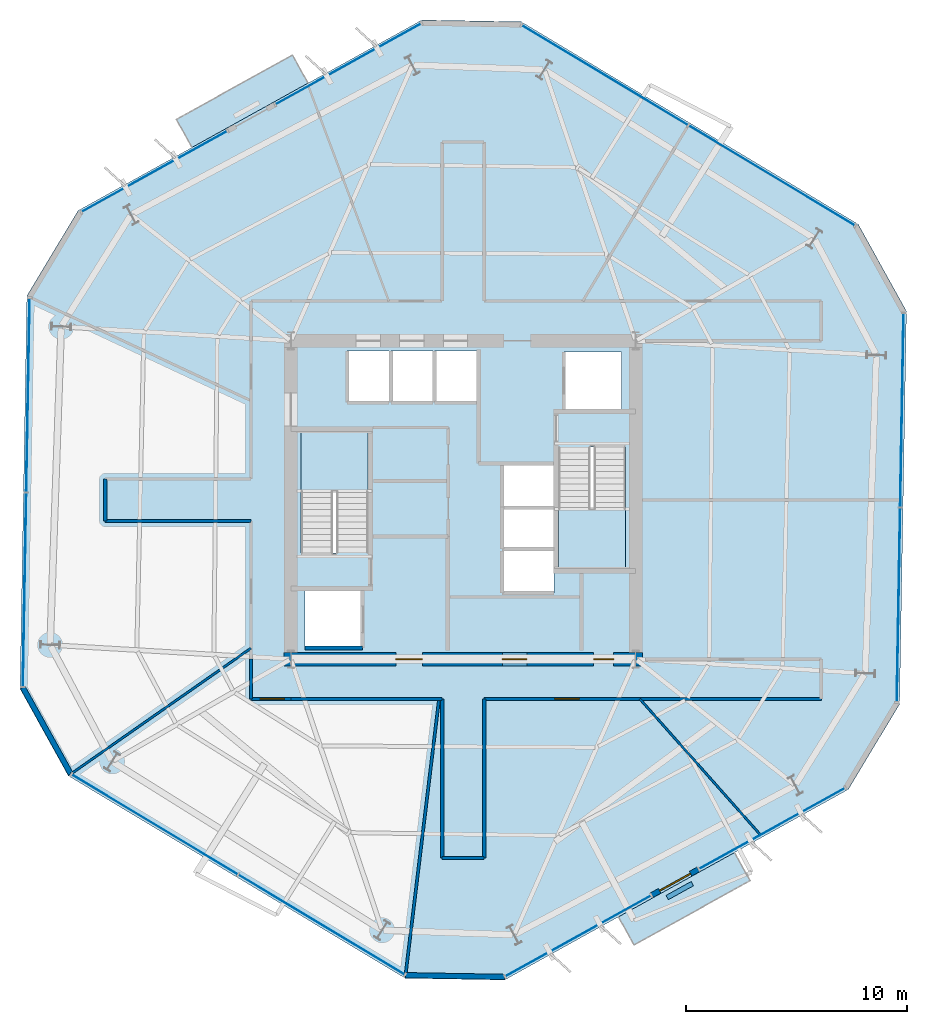
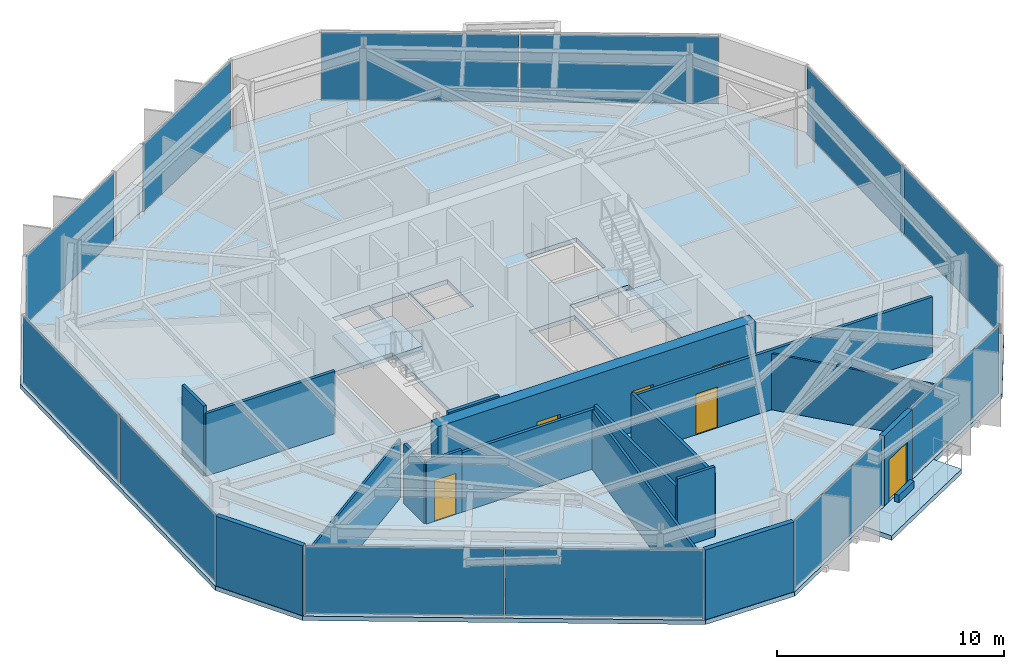
# One storey, part 6 of 11: 18 walls, 12 plates, 6 doors, 5 slabs, 6 openings, 10 elements without a shape of their own.
"""IFC4 building model written with IfcOpenShell, lengths in metres."""

from ifc_helpers import new_model, si_unit, direction, frame, frame_2d, origin, origin_2d, place, context, subcontext, project, spatial, polyline, rectangle, outline, extrude, material, layer, layer_set, type_object, element, fill, aggregate, save


model = new_model("IFC4")

# Units and contexts
model_context = context("Model", 3, precision=1e-05, world=origin(), true_north=direction((0.0, 1.0)))
body_context = subcontext(model_context, "Body", "Model", "MODEL_VIEW")
ifc_project = project(units=[si_unit("LENGTHUNIT", "METRE"), si_unit("AREAUNIT", "SQUARE_METRE"), si_unit("VOLUMEUNIT", "CUBIC_METRE"), si_unit("PLANEANGLEUNIT", "RADIAN"), si_unit("MASSUNIT", "GRAM", prefix="KILO")], contexts=[model_context])

# Site, building, storey
site_placement = place(None, origin())
site = spatial("IfcSite", under=ifc_project, at=site_placement, CompositionType="ELEMENT")
building_placement = place(site_placement, origin())
building = spatial("IfcBuilding", under=site, at=building_placement, Name="Kranzbogen Civic Tower", CompositionType="ELEMENT")
storey_placement = place(building_placement, frame((0.0, 0.0, 138.39990234375)))
storey = spatial("IfcBuildingStorey", under=building, at=storey_placement, Name="L33", CompositionType="ELEMENT", Elevation=138.39990234375)

# Slab
ifc_material_1 = material(Name="Concrete C40/50", Category="concrete")
ifc_layer_1 = layer(ifc_material_1, 0.239990234375, Name="Concrete C40/50")
ifc_layer_set_1 = layer_set([ifc_layer_1], Name="Concrete C40/50")
slab_type_1 = type_object("IfcSlabType", Name="Composite Lower Tower Floor Slab 240 mm", PredefinedType="FLOOR", material=ifc_layer_set_1)
slab_1_placement = place(storey_placement, frame((0.0, 0.0, -0.239990234375)))
element("IfcSlab", 1, at=slab_1_placement, inside=storey, type_object=slab_type_1, Name="L33 tower floor slab", PredefinedType="FLOOR", context=body_context, shape_type="SweptSolid", body=[
    extrude(outline(polyline([(42.8701171875, 37.47802734375), (27.6279296875, 46.636962890625), (23.12890625, 46.715087890625), (7.575927734375, 38.093994140625), (5.258056640625, 34.237060546875), (4.947998046875, 16.45703125), (7.1298828125, 12.52197265625), (22.3720703125, 3.363037109375), (26.87109375, 3.284912109375), (42.424072265625, 11.906005859375), (44.741943359375, 15.762939453125), (45.052001953125, 33.54296875), (42.8701171875, 37.47802734375)]), holes=[polyline([(20.449951171875, 20.89990234375), (20.449951171875, 18.300048828125), (17.85009765625, 18.300048828125), (17.85009765625, 20.89990234375), (20.449951171875, 20.89990234375)]), polyline([(29.10009765625, 22.699951171875), (29.10009765625, 20.800048828125), (26.75, 20.800048828125), (26.75, 22.699951171875), (29.10009765625, 22.699951171875)]), polyline([(29.10009765625, 24.64990234375), (29.10009765625, 22.77490234375), (26.75, 22.77490234375), (26.75, 24.64990234375), (26.75, 24.675048828125), (26.75, 26.550048828125), (29.10009765625, 26.550048828125), (29.10009765625, 24.675048828125), (29.10009765625, 24.64990234375)]), polyline([(30.75, 27.340087890625), (30.75, 27.39990234375), (32.35009765625, 27.39990234375), (32.35009765625, 21.89990234375), (29.300048828125, 21.89990234375), (29.300048828125, 27.340087890625), (30.75, 27.340087890625)]), polyline([(19.25, 22.659912109375), (19.25, 22.60009765625), (17.64990234375, 22.60009765625), (17.64990234375, 28.10009765625), (20.699951171875, 28.10009765625), (20.699951171875, 22.659912109375), (19.25, 22.659912109375)]), polyline([(32.14990234375, 31.699951171875), (32.14990234375, 29.10009765625), (29.550048828125, 29.10009765625), (29.550048828125, 31.699951171875), (32.14990234375, 31.699951171875)]), polyline([(21.64990234375, 31.75), (21.64990234375, 29.39990234375), (19.75, 29.39990234375), (19.75, 31.75), (21.64990234375, 31.75)]), polyline([(23.625, 29.39990234375), (21.72509765625, 29.39990234375), (21.72509765625, 31.75), (23.625, 31.75), (23.625, 29.39990234375)]), polyline([(25.60009765625, 29.39990234375), (23.699951171875, 29.39990234375), (23.699951171875, 31.75), (25.60009765625, 31.75), (25.60009765625, 29.39990234375)])]), origin(), (0.0, 0.0, 1.0), 0.239990234375),
])

# Curtain wall, plates
ifc_material_2 = material(Name="Pale Anodised Aluminium", Category="aluminium")
ifc_layer_2 = layer(ifc_material_2, 0.219970703125, Name="Pale Anodised Aluminium")
ifc_layer_set_2 = layer_set([ifc_layer_2], Name="Pale Anodised Aluminium")
curtain_wall_type = type_object("IfcCurtainWallType", Name="Zone 2 Stick Curtain Wall System CW-03", PredefinedType="USERDEFINED", material=ifc_layer_set_2)
curtain_wall_1_placement = place(storey_placement, origin())
curtain_wall_1 = element("IfcCurtainWall", 2, at=curtain_wall_1_placement, inside=storey, type_object=curtain_wall_type, Name="L33 curtain wall CW-L33-F1", ObjectType="STICK CURTAIN WALL", PredefinedType="USERDEFINED")
ifc_material_3 = material(Name="Low-E Triple Glazing Glass", Category="glass")
ifc_layer_3 = layer(ifc_material_3, 0.031982421875, Name="Low-E Triple Glazing Glass")
ifc_layer_set_3 = layer_set([ifc_layer_3], Name="Low-E Triple Glazing Glass")
plate_type = type_object("IfcPlateType", Name="Insulated Low-E Glazing Panel 32 mm", PredefinedType="CURTAIN_PANEL", material=ifc_layer_set_3)
plate_1_placement = place(storey_placement, frame((38.9560546875, 39.6806640625, 0.06005859375), z_axis=(0.0, 0.0, 1.0), x_axis=(-0.857153137828, 0.515061645156, 0.0)))
plate_1 = element("IfcPlate", 3, at=plate_1_placement, type_object=plate_type, Name="CW-03 panel 1.1", PredefinedType="CURTAIN_PANEL", context=body_context, shape_type="SweptSolid", body=[
    extrude(rectangle(XDim=8.743896484375, YDim=0.028076171875, at=origin_2d()), origin(), (0.0, 0.0, 1.0), 3.639892578125),
])
plate_2_placement = place(storey_placement, frame((31.409912109375, 44.21533203125, 0.06005859375), z_axis=(0.0, 0.0, 1.0), x_axis=(-0.857153137828, 0.515061645156, 0.0)))
plate_2 = element("IfcPlate", 4, at=plate_2_placement, type_object=plate_type, Name="CW-03 panel 2.1", PredefinedType="CURTAIN_PANEL", context=body_context, shape_type="SweptSolid", body=[
    extrude(rectangle(XDim=8.743896484375, YDim=0.028076171875, at=origin_2d()), origin(), (0.0, 0.0, 1.0), 3.639892578125),
])
aggregate(curtain_wall_1, [plate_1, plate_2])

# Curtain wall, plate
curtain_wall_2_placement = place(storey_placement, origin())
curtain_wall_2 = element("IfcCurtainWall", 5, at=curtain_wall_2_placement, inside=storey, type_object=curtain_wall_type, Name="L33 curtain wall CW-L33-F2-S1", ObjectType="STICK CURTAIN WALL", PredefinedType="USERDEFINED")
plate_3_placement = place(storey_placement, frame((19.802490234375, 44.7255859375, 0.06005859375), z_axis=(0.0, 0.0, 1.0), x_axis=(-0.874626457599, -0.484797441894, 0.0)))
plate_3 = element("IfcPlate", 6, at=plate_3_placement, type_object=plate_type, Name="CW-03 panel 1.1", PredefinedType="CURTAIN_PANEL", context=body_context, shape_type="SweptSolid", body=[
    extrude(rectangle(XDim=7.51416015625, YDim=0.028076171875, at=origin_2d()), origin(), (0.0, 0.0, 1.0), 3.639892578125),
])
aggregate(curtain_wall_2, [plate_3])

curtain_wall_3_placement = place(storey_placement, origin())
curtain_wall_3 = element("IfcCurtainWall", 7, at=curtain_wall_3_placement, inside=storey, type_object=curtain_wall_type, Name="L33 curtain wall CW-L33-F2-S2", ObjectType="STICK CURTAIN WALL", PredefinedType="USERDEFINED")
plate_4_placement = place(storey_placement, frame((11.026611328125, 39.860595703125, 0.06005859375), z_axis=(0.0, 0.0, 1.0), x_axis=(-0.874626457599, -0.484797441894, 0.0)))
plate_4 = element("IfcPlate", 8, at=plate_4_placement, type_object=plate_type, Name="CW-03 panel 1.1", PredefinedType="CURTAIN_PANEL", context=body_context, shape_type="SweptSolid", body=[
    extrude(rectangle(XDim=7.51416015625, YDim=0.028076171875, at=origin_2d()), origin(), (0.0, 0.0, 1.0), 3.639892578125),
])
aggregate(curtain_wall_3, [plate_4])

# Curtain wall, plates
curtain_wall_4_placement = place(storey_placement, origin())
curtain_wall_4 = element("IfcCurtainWall", 9, at=curtain_wall_4_placement, inside=storey, type_object=curtain_wall_type, Name="L33 curtain wall CW-L33-F3", ObjectType="STICK CURTAIN WALL", PredefinedType="USERDEFINED")
plate_5_placement = place(storey_placement, frame((5.3076171875, 29.74658203125, 0.06005859375), z_axis=(0.0, 0.0, 1.0), x_axis=(-0.017431971008, -0.999848051649, 0.0)))
plate_5 = element("IfcPlate", 10, at=plate_5_placement, type_object=plate_type, Name="CW-03 panel 1.1", PredefinedType="CURTAIN_PANEL", context=body_context, shape_type="SweptSolid", body=[
    extrude(rectangle(XDim=8.744384765625, YDim=0.028076171875, at=origin_2d()), origin(), (0.0, 0.0, 1.0), 3.639892578125),
])
plate_6_placement = place(storey_placement, frame((5.154296875, 20.943603515625, 0.06005859375), z_axis=(0.0, 0.0, 1.0), x_axis=(-0.017431971008, -0.999848051649, 0.0)))
plate_6 = element("IfcPlate", 11, at=plate_6_placement, type_object=plate_type, Name="CW-03 panel 2.1", PredefinedType="CURTAIN_PANEL", context=body_context, shape_type="SweptSolid", body=[
    extrude(rectangle(XDim=8.744384765625, YDim=0.028076171875, at=origin_2d()), origin(), (0.0, 0.0, 1.0), 3.639892578125),
])
aggregate(curtain_wall_4, [plate_5, plate_6])

curtain_wall_5_placement = place(storey_placement, origin())
curtain_wall_5 = element("IfcCurtainWall", 12, at=curtain_wall_5_placement, inside=storey, type_object=curtain_wall_type, Name="L33 curtain wall CW-L33-F4", ObjectType="STICK CURTAIN WALL", PredefinedType="USERDEFINED")
plate_7_placement = place(storey_placement, frame((11.0439453125, 10.3193359375, 0.06005859375), z_axis=(0.0, 0.0, 1.0), x_axis=(0.857153137828, -0.515061645156, 0.0)))
plate_7 = element("IfcPlate", 13, at=plate_7_placement, type_object=plate_type, Name="CW-03 panel 1.1", PredefinedType="CURTAIN_PANEL", context=body_context, shape_type="SweptSolid", body=[
    extrude(rectangle(XDim=8.743896484375, YDim=0.028076171875, at=origin_2d()), origin(), (0.0, 0.0, 1.0), 3.639892578125),
])
plate_8_placement = place(storey_placement, frame((18.590087890625, 5.78466796875, 0.06005859375), z_axis=(0.0, 0.0, 1.0), x_axis=(0.857153137828, -0.515061645156, 0.0)))
plate_8 = element("IfcPlate", 14, at=plate_8_placement, type_object=plate_type, Name="CW-03 panel 2.1", PredefinedType="CURTAIN_PANEL", context=body_context, shape_type="SweptSolid", body=[
    extrude(rectangle(XDim=8.743896484375, YDim=0.028076171875, at=origin_2d()), origin(), (0.0, 0.0, 1.0), 3.639892578125),
])
aggregate(curtain_wall_5, [plate_7, plate_8])

# Curtain wall, plate
curtain_wall_6_placement = place(storey_placement, origin())
curtain_wall_6 = element("IfcCurtainWall", 15, at=curtain_wall_6_placement, inside=storey, type_object=curtain_wall_type, Name="L33 curtain wall CW-L33-F5-S1", ObjectType="STICK CURTAIN WALL", PredefinedType="USERDEFINED")
plate_9_placement = place(storey_placement, frame((30.197509765625, 5.2744140625, 0.06005859375), z_axis=(0.0, 0.0, 1.0), x_axis=(0.874626457599, 0.484797441894, 0.0)))
plate_9 = element("IfcPlate", 16, at=plate_9_placement, type_object=plate_type, Name="CW-03 panel 1.1", PredefinedType="CURTAIN_PANEL", context=body_context, shape_type="SweptSolid", body=[
    extrude(rectangle(XDim=7.51416015625, YDim=0.028076171875, at=origin_2d()), origin(), (0.0, 0.0, 1.0), 3.639892578125),
])
aggregate(curtain_wall_6, [plate_9])

curtain_wall_7_placement = place(storey_placement, origin())
curtain_wall_7 = element("IfcCurtainWall", 17, at=curtain_wall_7_placement, inside=storey, type_object=curtain_wall_type, Name="L33 curtain wall CW-L33-F5-S2", ObjectType="STICK CURTAIN WALL", PredefinedType="USERDEFINED")
plate_10_placement = place(storey_placement, frame((38.973388671875, 10.139404296875, 0.06005859375), z_axis=(0.0, 0.0, 1.0), x_axis=(0.874626457599, 0.484797441894, 0.0)))
plate_10 = element("IfcPlate", 18, at=plate_10_placement, type_object=plate_type, Name="CW-03 panel 1.1", PredefinedType="CURTAIN_PANEL", context=body_context, shape_type="SweptSolid", body=[
    extrude(rectangle(XDim=7.51416015625, YDim=0.028076171875, at=origin_2d()), origin(), (0.0, 0.0, 1.0), 3.639892578125),
])
aggregate(curtain_wall_7, [plate_10])

# Curtain wall, plates
curtain_wall_8_placement = place(storey_placement, origin())
curtain_wall_8 = element("IfcCurtainWall", 19, at=curtain_wall_8_placement, inside=storey, type_object=curtain_wall_type, Name="L33 curtain wall CW-L33-F6", ObjectType="STICK CURTAIN WALL", PredefinedType="USERDEFINED")
plate_11_placement = place(storey_placement, frame((44.6923828125, 20.25341796875, 0.06005859375), z_axis=(0.0, 0.0, 1.0), x_axis=(0.017431971008, 0.999848051649, 0.0)))
plate_11 = element("IfcPlate", 20, at=plate_11_placement, type_object=plate_type, Name="CW-03 panel 1.1", PredefinedType="CURTAIN_PANEL", context=body_context, shape_type="SweptSolid", body=[
    extrude(rectangle(XDim=8.744384765625, YDim=0.028076171875, at=origin_2d()), origin(), (0.0, 0.0, 1.0), 3.639892578125),
])
plate_12_placement = place(storey_placement, frame((44.845703125, 29.056396484375, 0.06005859375), z_axis=(0.0, 0.0, 1.0), x_axis=(0.017431971008, 0.999848051649, 0.0)))
plate_12 = element("IfcPlate", 21, at=plate_12_placement, type_object=plate_type, Name="CW-03 panel 2.1", PredefinedType="CURTAIN_PANEL", context=body_context, shape_type="SweptSolid", body=[
    extrude(rectangle(XDim=8.744384765625, YDim=0.028076171875, at=origin_2d()), origin(), (0.0, 0.0, 1.0), 3.639892578125),
])
aggregate(curtain_wall_8, [plate_11, plate_12])

# Stair, slab
ifc_material_4 = material(Name="Precast concrete C40/50", Category="concrete")
stair_type_1 = type_object("IfcStairType", Name="Tower Core Pressurized Dogleg Stair 1450", PredefinedType="HALF_TURN_STAIR", material=ifc_material_4)
stair_1_placement = place(storey_placement, origin())
stair_1 = element("IfcStair", 22, at=stair_1_placement, inside=storey, type_object=stair_type_1, Name="L33 Tower Core Pressurized Stair 1", PredefinedType="HALF_TURN_STAIR")
ifc_layer_4 = layer(ifc_material_4, 0.199951171875, Name="Precast concrete C40/50")
ifc_layer_set_4 = layer_set([ifc_layer_4], Name="Precast concrete C40/50")
slab_type_2 = type_object("IfcSlabType", Name="Precast Concrete Stair Landing Slab 200 mm", PredefinedType="LANDING", material=ifc_layer_set_4)
slab_2_placement = place(storey_placement, frame((0.0, 0.0, 1.800048828125)))
slab_2 = element("IfcSlab", 23, at=slab_2_placement, type_object=slab_type_2, Name="ST-T1 landing 1", PredefinedType="LANDING", context=body_context, shape_type="SweptSolid", body=[
    extrude(outline(polyline([(20.699951171875, 25.39990234375), (20.699951171875, 28.10009765625), (17.64990234375, 28.10009765625), (17.64990234375, 25.39990234375), (20.699951171875, 25.39990234375)])), origin(), (0.0, 0.0, 1.0), 0.199951171875),
])
aggregate(stair_1, [slab_2])

stair_type_2 = type_object("IfcStairType", Name="Tower Core Secondary Dogleg Stair 1450", PredefinedType="HALF_TURN_STAIR", material=ifc_material_4)
stair_2_placement = place(storey_placement, origin())
stair_2 = element("IfcStair", 24, at=stair_2_placement, inside=storey, type_object=stair_type_2, Name="L33 Tower Core Pressurized Stair 2", PredefinedType="HALF_TURN_STAIR")
slab_3_placement = place(storey_placement, frame((0.0, 0.0, 1.800048828125)))
slab_3 = element("IfcSlab", 25, at=slab_3_placement, type_object=slab_type_2, Name="ST-T2 landing 1", PredefinedType="LANDING", context=body_context, shape_type="SweptSolid", body=[
    extrude(outline(polyline([(29.300048828125, 24.60009765625), (29.300048828125, 21.89990234375), (32.35009765625, 21.89990234375), (32.35009765625, 24.60009765625), (29.300048828125, 24.60009765625)])), origin(), (0.0, 0.0, 1.0), 0.199951171875),
])
aggregate(stair_2, [slab_3])

# Slabs
ifc_layer_5 = layer(ifc_material_1, 0.25, Name="Concrete C40/50")
ifc_layer_set_5 = layer_set([ifc_layer_5], Name="Concrete C40/50")
slab_type_3 = type_object("IfcSlabType", Name="Tree Balcony Cantilevered Slab 250 mm", PredefinedType="FLOOR", material=ifc_layer_set_5)
slab_4_placement = place(storey_placement, frame((0.0, 0.0, -0.25)))
element("IfcSlab", 26, at=slab_4_placement, inside=storey, type_object=slab_type_3, Name="L33 cantilevered tree balcony L33-TB1", PredefinedType="FLOOR", context=body_context, shape_type="SweptSolid", body=[
    extrude(outline(polyline([(17.97607421875, 43.85888671875), (12.72802734375, 40.950927734375), (12.02490234375, 42.218994140625), (17.27294921875, 45.126953125), (17.97607421875, 43.85888671875)])), origin(), (0.0, 0.0, 1.0), 0.25),
])
slab_5_placement = place(storey_placement, frame((0.0, 0.0, -0.25)))
element("IfcSlab", 27, at=slab_5_placement, inside=storey, type_object=slab_type_3, Name="L33 cantilevered tree balcony L33-TB2", PredefinedType="FLOOR", context=body_context, shape_type="SweptSolid", body=[
    extrude(outline(polyline([(32.02392578125, 6.14111328125), (37.27197265625, 9.049072265625), (37.97509765625, 7.781005859375), (32.72705078125, 4.873046875), (32.02392578125, 6.14111328125)])), origin(), (0.0, 0.0, 1.0), 0.25),
])

# Wall, opening, door
ifc_material_5 = material(Name="Double-Stud Acoustic Gypsum Partition")
ifc_layer_6 = layer(ifc_material_5, 0.14990234375, Name="Double-Stud Acoustic Gypsum Partition")
ifc_layer_set_6 = layer_set([ifc_layer_6], Name="Double-Stud Acoustic Gypsum Partition")
wall_type_1 = type_object("IfcWallType", Name="Acoustic Corridor and Clinical Partition 150 mm", PredefinedType="PARTITIONING", material=ifc_layer_set_6)
wall_1_placement = place(storey_placement, frame((17.199951171875, 16.0, 0.0), z_axis=(0.0, 0.0, 1.0), x_axis=(-1.0, 0.0, 0.0)))
wall_1 = element("IfcWall", 28, at=wall_1_placement, inside=storey, type_object=wall_type_1, Name="L33 corridor partition 01", PredefinedType="PARTITIONING", context=body_context, shape_type="SweptSolid", body=[
    extrude(rectangle(XDim=1.800048828125, YDim=0.14990234375, at=frame_2d((0.89990234375, 0.0))), origin(), (0.0, 0.0, 1.0), 3.360107421875),
])
opening_1_placement = place(wall_1_placement, frame((0.287109375, 0.0, 0.0)))
opening_1 = element("IfcOpeningElement", 29, at=opening_1_placement, cuts=wall_1, Name="Opening D-COR60", PredefinedType="OPENING", context=body_context, shape_type="SweptSolid", body=[
    extrude(rectangle(XDim=1.10009765625, YDim=2.199951171875, at=frame_2d((0.550048828125, 1.10009765625))), frame((0.0, 0.0849609375, 0.0), z_axis=(0.0, -1.0, 0.0), x_axis=(1.0, 0.0, 0.0)), (0.0, 0.0, 1.0), 0.169921875),
])
ifc_material_6 = material(Name="Oak Timber and Fire Core", Category="wood")
door_type_1 = type_object("IfcDoorType", Name="Corridor Acoustic Fire Door 1100x2200", OperationType="NOTDEFINED", PredefinedType="DOOR", material=ifc_material_6)
door_1_placement = place(opening_1_placement, origin())
door_1 = element("IfcDoor", 30, at=door_1_placement, inside=storey, type_object=door_type_1, Name="L33 Parliamentary Review Boardroom door", OperationType="SINGLE_SWING_LEFT", OverallHeight=2.199951171875, OverallWidth=1.10009765625, PredefinedType="DOOR", context=body_context, shape_type="SweptSolid", body=[
    extrude(rectangle(XDim=1.10009765625, YDim=2.199951171875, at=frame_2d((0.550048828125, 1.10009765625))), frame((0.0, 0.02490234375, 0.0), z_axis=(0.0, -1.0, 0.0), x_axis=(1.0, 0.0, 0.0)), (0.0, 0.0, 1.0), 0.050048828125),
])
fill(opening_1, door_1)

# Walls
wall_2_placement = place(storey_placement, frame((15.39990234375, 16.0, 0.0), z_axis=(0.0, 0.0, 1.0), x_axis=(0.0, 1.0, 0.0)))
element("IfcWall", 31, at=wall_2_placement, inside=storey, type_object=wall_type_1, Name="L33 corridor partition 02", PredefinedType="PARTITIONING", context=body_context, shape_type="SweptSolid", body=[
    extrude(rectangle(XDim=1.800048828125, YDim=0.14990234375, at=frame_2d((0.89990234375, 0.0))), origin(), (0.0, 0.0, 1.0), 3.210205078125),
])
wall_3_placement = place(storey_placement, frame((15.39990234375, 24.050048828125, 0.0), z_axis=(0.0, 0.0, 1.0), x_axis=(-1.0, 0.0, 0.0)))
element("IfcWall", 32, at=wall_3_placement, inside=storey, type_object=wall_type_1, Name="L33 corridor partition 04", PredefinedType="PARTITIONING", context=body_context, shape_type="SweptSolid", body=[
    extrude(rectangle(XDim=6.599853515625, YDim=0.14990234375, at=frame_2d((3.2998046875, 0.0))), origin(), (0.0, 0.0, 1.0), 3.360107421875),
])
wall_4_placement = place(storey_placement, frame((8.800048828125, 24.050048828125, 0.0), z_axis=(0.0, 0.0, 1.0), x_axis=(0.0, 1.0, 0.0)))
element("IfcWall", 33, at=wall_4_placement, inside=storey, type_object=wall_type_1, Name="L33 corridor partition 05", PredefinedType="PARTITIONING", context=body_context, shape_type="SweptSolid", body=[
    extrude(rectangle(XDim=1.89990234375, YDim=0.14990234375, at=frame_2d((0.949951171875, 0.0))), origin(), (0.0, 0.0, 1.0), 3.760009765625),
])

# Wall, opening, door
wall_5_placement = place(storey_placement, frame((41.199951171875, 16.0, 0.0), z_axis=(0.0, 0.0, 1.0), x_axis=(-1.0, 0.0, 0.0)))
wall_5 = element("IfcWall", 34, at=wall_5_placement, inside=storey, type_object=wall_type_1, Name="L33 corridor partition 19", PredefinedType="PARTITIONING", context=body_context, shape_type="SweptSolid", body=[
    extrude(rectangle(XDim=15.25, YDim=0.14990234375, at=frame_2d((7.625, 0.0))), origin(), (0.0, 0.0, 1.0), 3.210205078125),
])
opening_2_placement = place(wall_5_placement, frame((10.95703125, 0.0, 0.0)))
opening_2 = element("IfcOpeningElement", 35, at=opening_2_placement, cuts=wall_5, Name="Opening D-COR60", PredefinedType="OPENING", context=body_context, shape_type="SweptSolid", body=[
    extrude(rectangle(XDim=1.10009765625, YDim=2.199951171875, at=frame_2d((0.550048828125, 1.10009765625))), frame((0.0, 0.0849609375, 0.0), z_axis=(0.0, -1.0, 0.0), x_axis=(1.0, 0.0, 0.0)), (0.0, 0.0, 1.0), 0.169921875),
])
door_2_placement = place(opening_2_placement, origin())
door_2 = element("IfcDoor", 36, at=door_2_placement, inside=storey, type_object=door_type_1, Name="L33 Policy Seminar Room door", OperationType="SINGLE_SWING_RIGHT", OverallHeight=2.199951171875, OverallWidth=1.10009765625, PredefinedType="DOOR", context=body_context, shape_type="SweptSolid", body=[
    extrude(rectangle(XDim=1.10009765625, YDim=2.199951171875, at=frame_2d((0.550048828125, 1.10009765625))), frame((0.0, 0.02490234375, 0.0), z_axis=(0.0, -1.0, 0.0), x_axis=(1.0, 0.0, 0.0)), (0.0, 0.0, 1.0), 0.050048828125),
])
fill(opening_2, door_2)

# Walls
wall_6_placement = place(storey_placement, frame((25.949951171875, 16.0, 0.0), z_axis=(0.0, 0.0, 1.0), x_axis=(0.0, -1.0, 0.0)))
element("IfcWall", 37, at=wall_6_placement, inside=storey, type_object=wall_type_1, Name="L33 corridor partition 20", PredefinedType="PARTITIONING", context=body_context, shape_type="SweptSolid", body=[
    extrude(rectangle(XDim=7.199951171875, YDim=0.14990234375, at=frame_2d((3.60009765625, 0.0))), origin(), (0.0, 0.0, 1.0), 3.360107421875),
])
wall_7_placement = place(storey_placement, frame((25.949951171875, 8.800048828125, 0.0), z_axis=(0.0, 0.0, 1.0), x_axis=(-1.0, 0.0, 0.0)))
element("IfcWall", 38, at=wall_7_placement, inside=storey, type_object=wall_type_1, Name="L33 corridor partition 21", PredefinedType="PARTITIONING", context=body_context, shape_type="SweptSolid", body=[
    extrude(rectangle(XDim=1.89990234375, YDim=0.14990234375, at=frame_2d((0.949951171875, 0.0))), origin(), (0.0, 0.0, 1.0), 3.760009765625),
])
wall_8_placement = place(storey_placement, frame((24.050048828125, 8.800048828125, 0.0), z_axis=(0.0, 0.0, 1.0), x_axis=(0.0, 1.0, 0.0)))
element("IfcWall", 39, at=wall_8_placement, inside=storey, type_object=wall_type_1, Name="L33 corridor partition 22", PredefinedType="PARTITIONING", context=body_context, shape_type="SweptSolid", body=[
    extrude(rectangle(XDim=7.199951171875, YDim=0.14990234375, at=frame_2d((3.60009765625, 0.0))), origin(), (0.0, 0.0, 1.0), 3.360107421875),
])
wall_9_placement = place(storey_placement, frame((24.050048828125, 16.0, 0.0), z_axis=(0.0, 0.0, 1.0), x_axis=(-1.0, 0.0, 0.0)))
element("IfcWall", 40, at=wall_9_placement, inside=storey, type_object=wall_type_1, Name="L33 corridor partition 23", PredefinedType="PARTITIONING", context=body_context, shape_type="SweptSolid", body=[
    extrude(rectangle(XDim=6.85009765625, YDim=0.14990234375, at=frame_2d((3.425048828125, 0.0))), origin(), (0.0, 0.0, 1.0), 3.210205078125),
])
ifc_material_7 = material(Name="Insulated Metal-Stud Gypsum Partition")
ifc_layer_7 = layer(ifc_material_7, 0.125, Name="Insulated Metal-Stud Gypsum Partition")
ifc_layer_set_7 = layer_set([ifc_layer_7], Name="Insulated Metal-Stud Gypsum Partition")
wall_type_2 = type_object("IfcWallType", Name="Acoustic Inter-Room Partition 125 mm", PredefinedType="PARTITIONING", material=ifc_layer_set_7)
wall_10_placement = place(storey_placement, frame((23.906982421875, 16.0, 0.0), z_axis=(0.0, 0.0, 1.0), x_axis=(-0.120587145305, -0.99270274523, 0.0)))
element("IfcWall", 41, at=wall_10_placement, inside=storey, type_object=wall_type_2, Name="L33 radial room partition 05", PredefinedType="PARTITIONING", context=body_context, shape_type="SweptSolid", body=[
    extrude(rectangle(XDim=12.57080078125, YDim=0.125, at=frame_2d((6.285400390625, 0.0))), origin(), (0.0, 0.0, 1.0), 3.16015625),
])
ifc_material_8 = material(Name="Architectural Precast Terracotta Concrete C40/50", Category="masonry")
ifc_layer_8 = layer(ifc_material_8, 0.219970703125, Name="Architectural Precast Terracotta Concrete C40/50")
ifc_layer_set_8 = layer_set([ifc_layer_8], Name="Architectural Precast Terracotta Concrete C40/50")
wall_type_3 = type_object("IfcWallType", Name="Architectural Tree Planter Kerb Wall 220 mm", PredefinedType="USERDEFINED", material=ifc_layer_set_8)
wall_11_placement = place(storey_placement, frame((34.22705078125, 7.013916015625, 0.0), z_axis=(0.0, 0.0, 1.0), x_axis=(0.874829292821, 0.484431324774, 0.0)))
element("IfcWall", 42, at=wall_11_placement, inside=storey, type_object=wall_type_3, Name="L33 landscaped tree balcony planter L33-TB2", ObjectType="PLANTER_WALL", PredefinedType="USERDEFINED", context=body_context, shape_type="SweptSolid", body=[
    extrude(rectangle(XDim=1.30078125, YDim=0.219970703125, at=frame_2d((0.650390625, 0.0))), origin(), (0.0, 0.0, 1.0), 0.400146484375),
])

# Wall, openings, doors
ifc_material_9 = material(Name="Concrete C55/67", Category="concrete")
ifc_layer_9 = layer(ifc_material_9, 0.60009765625, Name="Concrete C55/67")
ifc_layer_set_9 = layer_set([ifc_layer_9], Name="Concrete C55/67")
wall_type_4 = type_object("IfcWallType", Name="Central Core Shear Wall 600 mm", PredefinedType="SHEAR", material=ifc_layer_set_9)
wall_12_placement = place(storey_placement, frame((16.89990234375, 17.800048828125, 0.0), z_axis=(0.0, 0.0, 1.0), x_axis=(1.0, 0.0, 0.0)))
wall_12 = element("IfcWall", 43, at=wall_12_placement, inside=storey, type_object=wall_type_4, Name="L33 central core South shear wall", PredefinedType="SHEAR", context=body_context, shape_type="SweptSolid", body=[
    extrude(rectangle(XDim=16.2001953125, YDim=0.60009765625, at=frame_2d((8.10009765625, 0.0))), origin(), (0.0, 0.0, 1.0), 3.760009765625),
])
opening_3_placement = place(wall_12_placement, frame((5.050048828125, 0.0, 0.0)))
opening_3 = element("IfcOpeningElement", 44, at=opening_3_placement, cuts=wall_12, Name="Opening D-EX120", PredefinedType="OPENING", context=body_context, shape_type="SweptSolid", body=[
    extrude(rectangle(XDim=1.199951171875, YDim=2.25, at=frame_2d((0.60009765625, 1.125))), frame((0.0, 0.31005859375, 0.0), z_axis=(0.0, -1.0, 0.0), x_axis=(1.0, 0.0, 0.0)), (0.0, 0.0, 1.0), 0.6201171875),
])
opening_4_placement = place(wall_12_placement, frame((14.0, 0.0, 0.0)))
opening_4 = element("IfcOpeningElement", 45, at=opening_4_placement, cuts=wall_12, Name="Opening D-WC90", PredefinedType="OPENING", context=body_context, shape_type="SweptSolid", body=[
    extrude(rectangle(XDim=0.89990234375, YDim=2.10009765625, at=frame_2d((0.449951171875, 1.050048828125))), frame((0.0, 0.31005859375, 0.0), z_axis=(0.0, -1.0, 0.0), x_axis=(1.0, 0.0, 0.0)), (0.0, 0.0, 1.0), 0.6201171875),
])
opening_5_placement = place(wall_12_placement, frame((9.875, 0.0, 0.0)))
opening_5 = element("IfcOpeningElement", 46, at=opening_5_placement, cuts=wall_12, Name="Opening D-COR60", PredefinedType="OPENING", context=body_context, shape_type="SweptSolid", body=[
    extrude(rectangle(XDim=1.10009765625, YDim=2.199951171875, at=frame_2d((0.550048828125, 1.10009765625))), frame((0.0, 0.31005859375, 0.0), z_axis=(0.0, -1.0, 0.0), x_axis=(1.0, 0.0, 0.0)), (0.0, 0.0, 1.0), 0.6201171875),
])
door_3_placement = place(opening_5_placement, origin())
door_3 = element("IfcDoor", 47, at=door_3_placement, inside=storey, type_object=door_type_1, Name="L33 REC1 archive room door", OperationType="SINGLE_SWING_LEFT", OverallHeight=2.199951171875, OverallWidth=1.10009765625, PredefinedType="DOOR", context=body_context, shape_type="SweptSolid", body=[
    extrude(rectangle(XDim=1.10009765625, YDim=2.199951171875, at=frame_2d((0.550048828125, 1.10009765625))), frame((0.0, 0.02490234375, 0.0), z_axis=(0.0, -1.0, 0.0), x_axis=(1.0, 0.0, 0.0)), (0.0, 0.0, 1.0), 0.050048828125),
])
fill(opening_5, door_3)
ifc_material_10 = material(Name="Steel S355", Category="steel")
door_type_2 = type_object("IfcDoorType", Name="Exit Passageway Fire Door 1200x2250", OperationType="NOTDEFINED", PredefinedType="DOOR", material=ifc_material_10)
door_4_placement = place(opening_3_placement, origin())
door_4 = element("IfcDoor", 48, at=door_4_placement, inside=storey, type_object=door_type_2, Name="L33 West firefighting lobby corridor door", OperationType="SINGLE_SWING_RIGHT", OverallHeight=2.25, OverallWidth=1.199951171875, PredefinedType="DOOR", context=body_context, shape_type="SweptSolid", body=[
    extrude(rectangle(XDim=1.199951171875, YDim=2.25, at=frame_2d((0.60009765625, 1.125))), frame((0.0, 0.02490234375, 0.0), z_axis=(0.0, -1.0, 0.0), x_axis=(1.0, 0.0, 0.0)), (0.0, 0.0, 1.0), 0.050048828125),
])
fill(opening_3, door_4)
ifc_material_11 = material(Name="Moisture-Resistant Laminate")
door_type_3 = type_object("IfcDoorType", Name="Standard Restroom and Store Door 900x2100", OperationType="NOTDEFINED", PredefinedType="DOOR", material=ifc_material_11)
door_5_placement = place(opening_4_placement, origin())
door_5 = element("IfcDoor", 49, at=door_5_placement, inside=storey, type_object=door_type_3, Name="L33 East electrical riser access door", OperationType="SINGLE_SWING_RIGHT", OverallHeight=2.10009765625, OverallWidth=0.89990234375, PredefinedType="DOOR", context=body_context, shape_type="SweptSolid", body=[
    extrude(rectangle(XDim=0.89990234375, YDim=2.10009765625, at=frame_2d((0.449951171875, 1.050048828125))), frame((0.0, 0.02490234375, 0.0), z_axis=(0.0, -1.0, 0.0), x_axis=(1.0, 0.0, 0.0)), (0.0, 0.0, 1.0), 0.050048828125),
])
fill(opening_4, door_5)

# Walls
ifc_material_12 = material(Name="Demountable Aluminium and Gypsum Partition", Category="aluminium")
ifc_layer_10 = layer(ifc_material_12, 0.10009765625, Name="Demountable Aluminium and Gypsum Partition")
ifc_layer_set_10 = layer_set([ifc_layer_10], Name="Demountable Aluminium and Gypsum Partition")
wall_type_5 = type_object("IfcWallType", Name="Demountable Office Partition 100 mm", PredefinedType="MOVABLE", material=ifc_layer_set_10)
wall_13_placement = place(storey_placement, frame((15.39990234375, 18.297119140625, 0.0), z_axis=(0.0, 0.0, 1.0), x_axis=(-0.819886429215, -0.572526194325, 0.0)))
element("IfcWall", 50, at=wall_13_placement, inside=storey, type_object=wall_type_5, Name="L33 radial room partition 04", PredefinedType="MOVABLE", context=body_context, shape_type="SweptSolid", body=[
    extrude(rectangle(XDim=9.927978515625, YDim=0.10009765625, at=frame_2d((4.9638671875, 0.0))), origin(), (0.0, 0.0, 1.0), 3.16015625),
])
wall_14_placement = place(storey_placement, frame((32.989013671875, 16.0, 0.0), z_axis=(0.0, 0.0, 1.0), x_axis=(0.663822664729, -0.747890011828, 0.0)))
element("IfcWall", 51, at=wall_14_placement, inside=storey, type_object=wall_type_5, Name="L33 radial room partition 06", PredefinedType="MOVABLE", context=body_context, shape_type="SweptSolid", body=[
    extrude(rectangle(XDim=8.20703125, YDim=0.10009765625, at=frame_2d((4.103515625, 0.0))), origin(), (0.0, 0.0, 1.0), 3.02001953125),
])
ifc_material_13 = material(Name="Gypsum Fireboard Shaftliner")
ifc_layer_11 = layer(ifc_material_13, 0.175048828125, Name="Gypsum Fireboard Shaftliner")
ifc_layer_set_11 = layer_set([ifc_layer_11], Name="Gypsum Fireboard Shaftliner")
wall_type_6 = type_object("IfcWallType", Name="Fire-Rated Lift and Service Shaft Wall 175 mm", PredefinedType="PARTITIONING", material=ifc_layer_set_11)
wall_15_placement = place(storey_placement, frame((17.85009765625, 18.300048828125, 0.0), z_axis=(0.0, 0.0, 1.0), x_axis=(1.0, 0.0, 0.0)))
element("IfcWall", 52, at=wall_15_placement, inside=storey, type_object=wall_type_6, Name="L33 lift FF-01 side wall", PredefinedType="PARTITIONING", context=body_context, shape_type="SweptSolid", body=[
    extrude(rectangle(XDim=2.599853515625, YDim=0.175048828125, at=frame_2d((1.2998046875, 0.0))), origin(), (0.0, 0.0, 1.0), 3.760009765625),
])
ifc_layer_12 = layer(ifc_material_2, 0.239990234375, Name="Pale Anodised Aluminium")
ifc_layer_set_12 = layer_set([ifc_layer_12], Name="Pale Anodised Aluminium")
wall_type_7 = type_object("IfcWallType", Name="Insulated Aluminium Facade Portal Wall 240 mm", PredefinedType="STANDARD", material=ifc_layer_set_12)
wall_16_placement = place(storey_placement, frame((5.076904296875, 16.511962890625, 0.0), z_axis=(0.0, 0.0, 1.0), x_axis=(0.484965863304, -0.874533081953, 0.0)))
element("IfcWall", 53, at=wall_16_placement, inside=storey, type_object=wall_type_7, Name="L33 chamfered corner facade spandrel 3", PredefinedType="STANDARD", context=body_context, shape_type="SweptSolid", body=[
    extrude(rectangle(XDim=4.470947265625, YDim=0.239990234375, at=frame_2d((2.2353515625, 0.0))), origin(), (0.0, 0.0, 1.0), 3.760009765625),
])
wall_17_placement = place(storey_placement, frame((22.388916015625, 3.501953125, 0.0), z_axis=(0.0, 0.0, 1.0), x_axis=(0.999848251902, -0.017420481313, 0.0)))
element("IfcWall", 54, at=wall_17_placement, inside=storey, type_object=wall_type_7, Name="L33 chamfered corner facade spandrel 4", PredefinedType="STANDARD", context=body_context, shape_type="SweptSolid", body=[
    extrude(rectangle(XDim=4.470703125, YDim=0.239990234375, at=frame_2d((2.2353515625, 0.0))), origin(), (0.0, 0.0, 1.0), 3.760009765625),
])

# Wall, opening, door
wall_18_placement = place(storey_placement, frame((33.535888671875, 7.125, 0.0), z_axis=(0.0, 0.0, 1.0), x_axis=(0.874531244889, 0.484969176044, 0.0)))
wall_18 = element("IfcWall", 55, at=wall_18_placement, inside=storey, type_object=wall_type_7, Name="L33 exterior entrance portal wall 1", PredefinedType="STANDARD", context=body_context, shape_type="SweptSolid", body=[
    extrude(rectangle(XDim=2.400390625, YDim=0.239990234375, at=frame_2d((1.2001953125, 0.0))), origin(), (0.0, 0.0, 1.0), 3.760009765625),
])
opening_6_placement = place(wall_18_placement, frame((0.39990234375, 0.0, 0.0)))
opening_6 = element("IfcOpeningElement", 56, at=opening_6_placement, cuts=wall_18, Name="Opening D-TER", PredefinedType="OPENING", context=body_context, shape_type="SweptSolid", body=[
    extrude(rectangle(XDim=1.60009765625, YDim=2.25, at=frame_2d((0.800048828125, 1.125))), frame((0.0, 0.1298828125, 0.0), z_axis=(0.0, -1.0, 0.0), x_axis=(1.0, 0.0, 0.0)), (0.0, 0.0, 1.0), 0.260009765625),
])
ifc_material_14 = material(Name="Anodised Bronze and Triple Glass", Category="glass")
door_type_4 = type_object("IfcDoorType", Name="Glazed Terrace and Balcony Double Door 1600x2250", OperationType="DOUBLE_DOOR_SINGLE_SWING", PredefinedType="DOOR", material=ifc_material_14)
door_6_placement = place(opening_6_placement, frame((1.60009765625, 0.0, 0.0), z_axis=(0.0, 0.0, 1.0), x_axis=(-1.0, 0.0, 0.0)))
door_6 = element("IfcDoor", 57, at=door_6_placement, inside=storey, type_object=door_type_4, Name="L33 tree balcony access door L33-TB2", OperationType="DOUBLE_DOOR_SINGLE_SWING", OverallHeight=2.25, OverallWidth=1.60009765625, PredefinedType="DOOR", context=body_context, shape_type="SweptSolid", body=[
    extrude(rectangle(XDim=1.60009765625, YDim=2.25, at=frame_2d((0.800048828125, 1.125))), frame((0.0, 0.02490234375, 0.0), z_axis=(0.0, -1.0, 0.0), x_axis=(1.0, 0.0, 0.0)), (0.0, 0.0, 1.0), 0.050048828125),
])
fill(opening_6, door_6)

save(model, "model.ifc")
